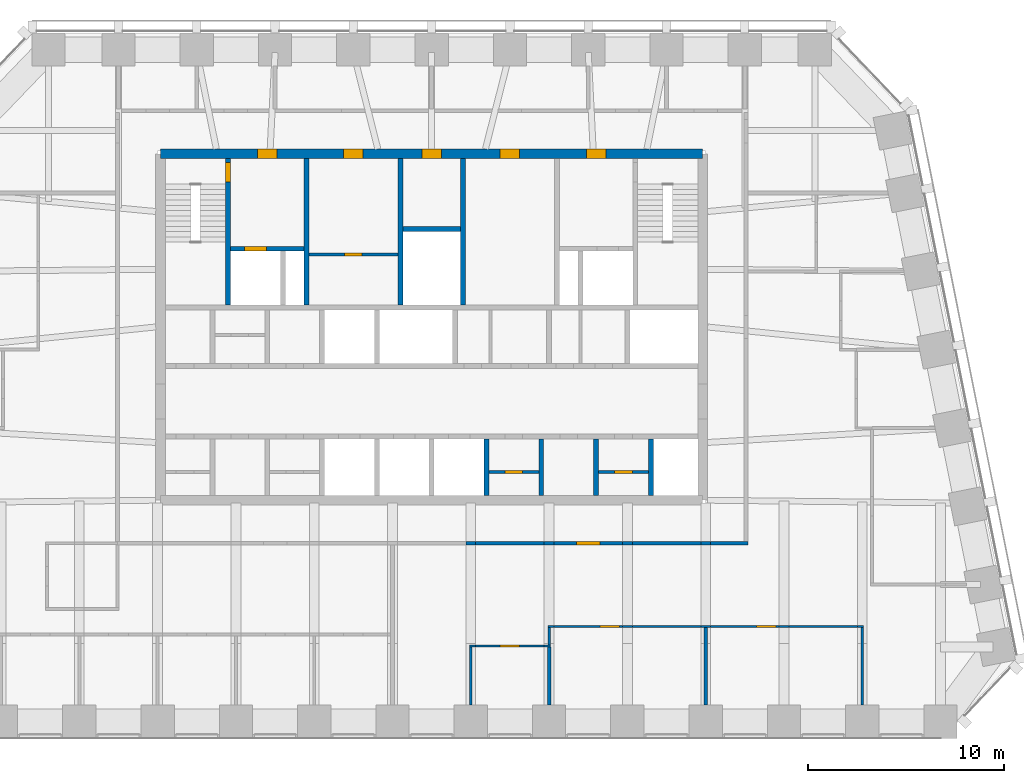
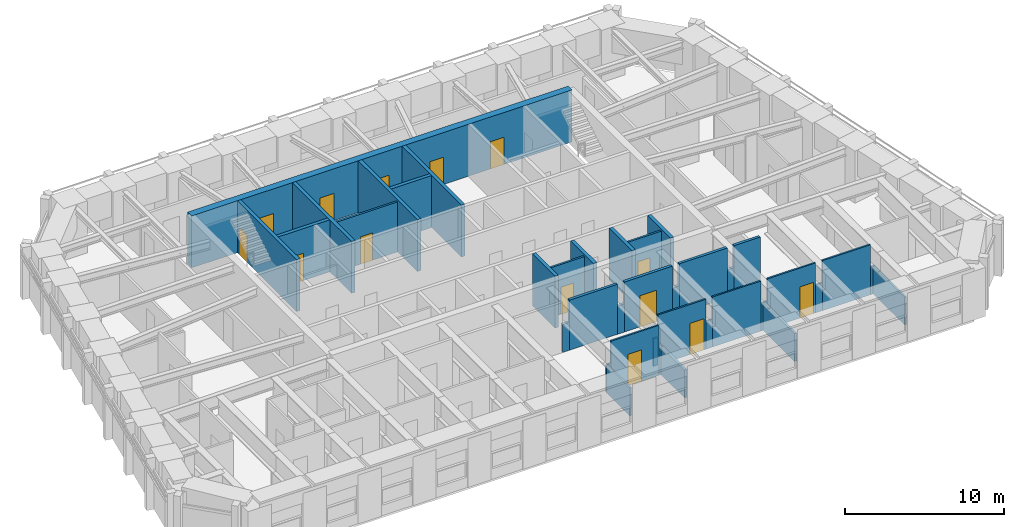
# One storey, part 7 of 12: 39 walls, 14 doors, 14 openings.
"""IFC4 building model written with IfcOpenShell, lengths in metres."""

from ifc_helpers import new_model, si_unit, direction, frame, frame_2d, origin, place, context, subcontext, project, spatial, rectangle, extrude, material, layer, layer_set, type_object, element, fill, save


model = new_model("IFC4")

# Units and contexts
model_context = context("Model", 3, precision=1e-05, world=origin(), true_north=direction((0.0, 1.0)))
body_context = subcontext(model_context, "Body", "Model", "MODEL_VIEW")
ifc_project = project(units=[si_unit("LENGTHUNIT", "METRE"), si_unit("AREAUNIT", "SQUARE_METRE"), si_unit("VOLUMEUNIT", "CUBIC_METRE"), si_unit("PLANEANGLEUNIT", "RADIAN"), si_unit("MASSUNIT", "GRAM", prefix="KILO")], contexts=[model_context])

# Site, building, storey
site_placement = place(None, origin())
site = spatial("IfcSite", under=ifc_project, at=site_placement, CompositionType="ELEMENT")
building_placement = place(site_placement, origin())
building = spatial("IfcBuilding", under=site, at=building_placement, Name="Isbrekke Arena Tower", CompositionType="ELEMENT")
storey_placement = place(building_placement, frame((0.0, 0.0, 292.0)))
storey = spatial("IfcBuildingStorey", under=building, at=storey_placement, Name="L68", CompositionType="ELEMENT", Elevation=292.0)

# Wall, openings, doors
ifc_material_1 = material(Name="Concrete B55 (C55/67)", Category="concrete")
ifc_layer_1 = layer(ifc_material_1, 0.5)
ifc_layer_set_1 = layer_set([ifc_layer_1], Name="CW5 CORE WALL 500")
wall_type_1 = type_object("IfcWallType", Name="CW5 CORE WALL 500", PredefinedType="SHEAR", material=ifc_layer_set_1)
wall_1_placement = place(storey_placement, frame((13.85009765625, 23.85009765625, 0.0), z_axis=(0.0, 0.0, 1.0), x_axis=(-1.0, 0.0, 0.0)))
wall_1 = element("IfcWall", 1, at=wall_1_placement, inside=storey, type_object=wall_type_1, Name="Core wall N L68", PredefinedType="SHEAR", context=body_context, shape_type="SweptSolid", body=[
    extrude(rectangle(XDim=27.7001953125, YDim=0.5, at=frame_2d((13.85009765625, 0.0))), origin(), (0.0, 0.0, 1.0), 4.0),
])
opening_1_placement = place(wall_1_placement, frame((21.75, 0.0, 0.0)))
opening_1 = element("IfcOpeningElement", 2, at=opening_1_placement, cuts=wall_1, Name="Opening D3", PredefinedType="OPENING", context=body_context, shape_type="SweptSolid", body=[
    extrude(rectangle(XDim=1.0, YDim=2.10009765625, at=frame_2d((0.5, 1.050048828125))), frame((0.0, 0.264892578125, 0.0), z_axis=(0.0, -1.0, 0.0), x_axis=(1.0, 0.0, 0.0)), (0.0, 0.0, 1.0), 0.52978515625),
])
opening_2_placement = place(wall_1_placement, frame((4.949951171875, 0.0, 0.0)))
opening_2 = element("IfcOpeningElement", 3, at=opening_2_placement, cuts=wall_1, Name="Opening D3", PredefinedType="OPENING", context=body_context, shape_type="SweptSolid", body=[
    extrude(rectangle(XDim=1.0, YDim=2.10009765625, at=frame_2d((0.5, 1.050048828125))), frame((0.0, 0.264892578125, 0.0), z_axis=(0.0, -1.0, 0.0), x_axis=(1.0, 0.0, 0.0)), (0.0, 0.0, 1.0), 0.52978515625),
])
opening_3_placement = place(wall_1_placement, frame((17.35009765625, 0.0, 0.0)))
opening_3 = element("IfcOpeningElement", 4, at=opening_3_placement, cuts=wall_1, Name="Opening D4", PredefinedType="OPENING", context=body_context, shape_type="SweptSolid", body=[
    extrude(rectangle(XDim=1.0, YDim=2.10009765625, at=frame_2d((0.5, 1.050048828125))), frame((0.0, 0.264892578125, 0.0), z_axis=(0.0, -1.0, 0.0), x_axis=(1.0, 0.0, 0.0)), (0.0, 0.0, 1.0), 0.52978515625),
])
opening_4_placement = place(wall_1_placement, frame((13.35009765625, 0.0, 0.0)))
opening_4 = element("IfcOpeningElement", 5, at=opening_4_placement, cuts=wall_1, Name="Opening D4", PredefinedType="OPENING", context=body_context, shape_type="SweptSolid", body=[
    extrude(rectangle(XDim=1.0, YDim=2.10009765625, at=frame_2d((0.5, 1.050048828125))), frame((0.0, 0.264892578125, 0.0), z_axis=(0.0, -1.0, 0.0), x_axis=(1.0, 0.0, 0.0)), (0.0, 0.0, 1.0), 0.52978515625),
])
opening_5_placement = place(wall_1_placement, frame((9.35009765625, 0.0, 0.0)))
opening_5 = element("IfcOpeningElement", 6, at=opening_5_placement, cuts=wall_1, Name="Opening D4", PredefinedType="OPENING", context=body_context, shape_type="SweptSolid", body=[
    extrude(rectangle(XDim=1.0, YDim=2.10009765625, at=frame_2d((0.5, 1.050048828125))), frame((0.0, 0.264892578125, 0.0), z_axis=(0.0, -1.0, 0.0), x_axis=(1.0, 0.0, 0.0)), (0.0, 0.0, 1.0), 0.52978515625),
])
ifc_material_2 = material(Name="Steel fire door", Category="steel")
door_type_1 = type_object("IfcDoorType", Name="D3 FIRE LOBBY DOOR 1000 x 2100", OperationType="SINGLE_SWING_RIGHT", PredefinedType="DOOR", material=ifc_material_2)
door_1_placement = place(opening_1_placement, origin())
door_1 = element("IfcDoor", 7, at=door_1_placement, inside=storey, type_object=door_type_1, Name="D3 fire-fighting lobby door L68", OperationType="SINGLE_SWING_RIGHT", OverallHeight=2.10009765625, OverallWidth=1.0, PredefinedType="DOOR", context=body_context, shape_type="SweptSolid", body=[
    extrude(rectangle(XDim=1.0, YDim=2.10009765625, at=frame_2d((0.5, 1.050048828125))), frame((0.0, 0.249755859375, 0.0), z_axis=(0.0, -1.0, 0.0), x_axis=(1.0, 0.0, 0.0)), (0.0, 0.0, 1.0), 0.49951171875),
])
fill(opening_1, door_1)
door_2_placement = place(opening_2_placement, origin())
door_2 = element("IfcDoor", 8, at=door_2_placement, inside=storey, type_object=door_type_1, Name="D3 fire-fighting lobby door L68", OperationType="SINGLE_SWING_RIGHT", OverallHeight=2.10009765625, OverallWidth=1.0, PredefinedType="DOOR", context=body_context, shape_type="SweptSolid", body=[
    extrude(rectangle(XDim=1.0, YDim=2.10009765625, at=frame_2d((0.5, 1.050048828125))), frame((0.0, 0.249755859375, 0.0), z_axis=(0.0, -1.0, 0.0), x_axis=(1.0, 0.0, 0.0)), (0.0, 0.0, 1.0), 0.49951171875),
])
fill(opening_2, door_2)
ifc_material_3 = material(Name="Timber door", Category="wood")
door_type_2 = type_object("IfcDoorType", Name="D4 WC DOOR 1000 x 2100", OperationType="SINGLE_SWING_LEFT", PredefinedType="DOOR", material=ifc_material_3)
door_3_placement = place(opening_3_placement, origin())
door_3 = element("IfcDoor", 9, at=door_3_placement, inside=storey, type_object=door_type_2, Name="D4 wc female door L68", OperationType="SINGLE_SWING_LEFT", OverallHeight=2.10009765625, OverallWidth=1.0, PredefinedType="DOOR", context=body_context, shape_type="SweptSolid", body=[
    extrude(rectangle(XDim=1.0, YDim=2.10009765625, at=frame_2d((0.5, 1.050048828125))), frame((0.0, 0.249755859375, 0.0), z_axis=(0.0, -1.0, 0.0), x_axis=(1.0, 0.0, 0.0)), (0.0, 0.0, 1.0), 0.49951171875),
])
fill(opening_3, door_3)
door_4_placement = place(opening_4_placement, origin())
door_4 = element("IfcDoor", 10, at=door_4_placement, inside=storey, type_object=door_type_2, Name="D4 accessible wc door L68", OperationType="SINGLE_SWING_LEFT", OverallHeight=2.10009765625, OverallWidth=1.0, PredefinedType="DOOR", context=body_context, shape_type="SweptSolid", body=[
    extrude(rectangle(XDim=1.0, YDim=2.10009765625, at=frame_2d((0.5, 1.050048828125))), frame((0.0, 0.249755859375, 0.0), z_axis=(0.0, -1.0, 0.0), x_axis=(1.0, 0.0, 0.0)), (0.0, 0.0, 1.0), 0.49951171875),
])
fill(opening_4, door_4)
door_5_placement = place(opening_5_placement, origin())
door_5 = element("IfcDoor", 11, at=door_5_placement, inside=storey, type_object=door_type_2, Name="D4 wc male door L68", OperationType="SINGLE_SWING_LEFT", OverallHeight=2.10009765625, OverallWidth=1.0, PredefinedType="DOOR", context=body_context, shape_type="SweptSolid", body=[
    extrude(rectangle(XDim=1.0, YDim=2.10009765625, at=frame_2d((0.5, 1.050048828125))), frame((0.0, 0.249755859375, 0.0), z_axis=(0.0, -1.0, 0.0), x_axis=(1.0, 0.0, 0.0)), (0.0, 0.0, 1.0), 0.49951171875),
])
fill(opening_5, door_5)

# Walls
ifc_material_4 = material(Name="Concrete B45 (C45/55)", Category="concrete")
ifc_layer_2 = layer(ifc_material_4, 0.25)
ifc_layer_set_2 = layer_set([ifc_layer_2], Name="CW6 SHAFT WALL 250")
wall_type_2 = type_object("IfcWallType", Name="CW6 SHAFT WALL 250", PredefinedType="SHEAR", material=ifc_layer_set_2)
for number, where, z_axis, x_axis, name in (
    (12, (2.800048828125, 6.39990234375, 0.0), (0.0, 0.0, 1.0), (0.0, 1.0, 0.0), "Core wall SS06 L68"),
    (13, (5.60009765625, 6.39990234375, 0.0), (0.0, 0.0, 1.0), (0.0, 1.0, 0.0), "Core wall SS07 L68"),
    (14, (8.39990234375, 6.39990234375, 0.0), (0.0, 0.0, 1.0), (0.0, 1.0, 0.0), "Core wall SS08 L68"),
    (15, (11.199951171875, 6.39990234375, 0.0), (0.0, 0.0, 1.0), (0.0, 1.0, 0.0), "Core wall SS09 L68"),
):
    element("IfcWall", number, at=place(storey_placement, frame(where, z_axis=z_axis, x_axis=x_axis)), inside=storey, type_object=wall_type_2, Name=name, PredefinedType="SHEAR", context=body_context, shape_type="SweptSolid", body=[
        extrude(rectangle(XDim=2.875, YDim=0.25, at=frame_2d((1.4375, 0.0))), origin(), (0.0, 0.0, 1.0), 4.0),
    ])

# Wall, opening, door
wall_2_placement = place(storey_placement, frame((-10.39990234375, 16.125, 0.0), z_axis=(0.0, 0.0, 1.0), x_axis=(0.0, 1.0, 0.0)))
wall_2 = element("IfcWall", 16, at=wall_2_placement, inside=storey, type_object=wall_type_2, Name="Core wall NV01 L68", PredefinedType="SHEAR", context=body_context, shape_type="SweptSolid", body=[
    extrude(rectangle(XDim=7.47509765625, YDim=0.25, at=frame_2d((3.737548828125, 0.0))), origin(), (0.0, 0.0, 1.0), 4.0),
])
opening_6_placement = place(wall_2_placement, frame((6.27490234375, 0.0, 0.0)))
opening_6 = element("IfcOpeningElement", 17, at=opening_6_placement, cuts=wall_2, Name="Opening D2", PredefinedType="OPENING", context=body_context, shape_type="SweptSolid", body=[
    extrude(rectangle(XDim=1.0, YDim=2.10009765625, at=frame_2d((0.5, 1.050048828125))), frame((0.0, 0.139892578125, 0.0), z_axis=(0.0, -1.0, 0.0), x_axis=(1.0, 0.0, 0.0)), (0.0, 0.0, 1.0), 0.27978515625),
])
ifc_material_5 = material(Name="Steel fire door", Category="steel")
door_type_3 = type_object("IfcDoorType", Name="D2 STAIR DOOR 1000 x 2100", OperationType="SINGLE_SWING_LEFT", PredefinedType="DOOR", material=ifc_material_5)
door_6_placement = place(opening_6_placement, origin())
door_6 = element("IfcDoor", 18, at=door_6_placement, inside=storey, type_object=door_type_3, Name="D2 stair door ST1 L68", OperationType="SINGLE_SWING_LEFT", OverallHeight=2.10009765625, OverallWidth=1.0, PredefinedType="DOOR", context=body_context, shape_type="SweptSolid", body=[
    extrude(rectangle(XDim=1.0, YDim=2.10009765625, at=frame_2d((0.5, 1.050048828125))), frame((0.0, 0.124755859375, 0.0), z_axis=(0.0, -1.0, 0.0), x_axis=(1.0, 0.0, 0.0)), (0.0, 0.0, 1.0), 0.24951171875),
])
fill(opening_6, door_6)

# Walls
for number, where, z_axis, x_axis, name in (
    (19, (-6.39990234375, 16.125, 0.0), (0.0, 0.0, 1.0), (0.0, 1.0, 0.0), "Core wall NV02 L68"),
    (20, (-1.60009765625, 16.125, 0.0), (0.0, 0.0, 1.0), (0.0, 1.0, 0.0), "Core wall NV03 L68"),
    (21, (1.60009765625, 16.125, 0.0), (0.0, 0.0, 1.0), (0.0, 1.0, 0.0), "Core wall NV04 L68"),
):
    element("IfcWall", number, at=place(storey_placement, frame(where, z_axis=z_axis, x_axis=x_axis)), inside=storey, type_object=wall_type_2, Name=name, PredefinedType="SHEAR", context=body_context, shape_type="SweptSolid", body=[
        extrude(rectangle(XDim=7.47509765625, YDim=0.25, at=frame_2d((3.737548828125, 0.0))), origin(), (0.0, 0.0, 1.0), 4.0),
    ])

# Wall, opening, door
wall_3_placement = place(storey_placement, frame((-10.27490234375, 19.0, 0.0), z_axis=(0.0, 0.0, 1.0), x_axis=(1.0, 0.0, 0.0)))
wall_3 = element("IfcWall", 22, at=wall_3_placement, inside=storey, type_object=wall_type_2, Name="Core wall NFW L68", PredefinedType="SHEAR", context=body_context, shape_type="SweptSolid", body=[
    extrude(rectangle(XDim=3.75, YDim=0.25, at=frame_2d((1.875, 0.0))), origin(), (0.0, 0.0, 1.0), 4.0),
])
opening_7_placement = place(wall_3_placement, frame((0.72509765625, 0.0, 0.0)))
opening_7 = element("IfcOpeningElement", 23, at=opening_7_placement, cuts=wall_3, Name="Opening LD2", PredefinedType="OPENING", context=body_context, shape_type="SweptSolid", body=[
    extrude(rectangle(XDim=1.10009765625, YDim=2.10009765625, at=frame_2d((0.550048828125, 1.050048828125))), frame((0.0, 0.139892578125, 0.0), z_axis=(0.0, -1.0, 0.0), x_axis=(1.0, 0.0, 0.0)), (0.0, 0.0, 1.0), 0.27978515625),
])
ifc_material_6 = material(Name="Stainless steel lift landing door", Category="steel")
door_type_4 = type_object("IfcDoorType", Name="LD2 FIRE-FIGHTING LIFT LANDING DOOR 1100 x 2100", OperationType="SLIDING_TO_RIGHT", PredefinedType="DOOR", material=ifc_material_6)
door_7_placement = place(opening_7_placement, origin())
door_7 = element("IfcDoor", 24, at=door_7_placement, inside=storey, type_object=door_type_4, Name="LD2 lift landing door LF L68", OperationType="SLIDING_TO_RIGHT", OverallHeight=2.10009765625, OverallWidth=1.10009765625, PredefinedType="DOOR", context=body_context, shape_type="SweptSolid", body=[
    extrude(rectangle(XDim=1.10009765625, YDim=2.10009765625, at=frame_2d((0.550048828125, 1.050048828125))), frame((0.0, 0.124755859375, 0.0), z_axis=(0.0, -1.0, 0.0), x_axis=(1.0, 0.0, 0.0)), (0.0, 0.0, 1.0), 0.24951171875),
])
fill(opening_7, door_7)

# Walls
wall_4_placement = place(storey_placement, frame((-1.47509765625, 20.0, 0.0), z_axis=(0.0, 0.0, 1.0), x_axis=(1.0, 0.0, 0.0)))
element("IfcWall", 25, at=wall_4_placement, inside=storey, type_object=wall_type_2, Name="Core wall NWC L68", PredefinedType="SHEAR", context=body_context, shape_type="SweptSolid", body=[
    extrude(rectangle(XDim=2.9501953125, YDim=0.25, at=frame_2d((1.47509765625, 0.0))), origin(), (0.0, 0.0, 1.0), 4.0),
])
ifc_material_7 = material(Name="Frameless glazed partition, laminated acoustic glass", Category="glass")
ifc_layer_3 = layer(ifc_material_7, 0.1201171875)
ifc_layer_set_3 = layer_set([ifc_layer_3], Name="IW2 GLAZED PARTITION 120")
wall_type_3 = type_object("IfcWallType", Name="IW2 GLAZED PARTITION 120", PredefinedType="PARTITIONING", material=ifc_layer_set_3)
wall_5_placement = place(storey_placement, frame((1.93994140625, -1.300048828125, 0.0), z_axis=(0.0, 0.0, 1.0), x_axis=(1.0, 0.0, 0.0)))
element("IfcWall", 26, at=wall_5_placement, inside=storey, type_object=wall_type_3, Name="IW2 glazed partition 120 L68", PredefinedType="PARTITIONING", context=body_context, shape_type="SweptSolid", body=[
    extrude(rectangle(XDim=0.31005859375, YDim=0.1201171875, at=frame_2d((0.155029296875, 0.0))), origin(), (0.0, 0.0, 1.0), 2.14990234375),
])

# Wall, opening, door
wall_6_placement = place(storey_placement, frame((2.25, -1.300048828125, 0.0), z_axis=(0.0, 0.0, 1.0), x_axis=(1.0, 0.0, 0.0)))
wall_6 = element("IfcWall", 27, at=wall_6_placement, inside=storey, type_object=wall_type_3, Name="IW2 glazed partition 120 L68", PredefinedType="PARTITIONING", context=body_context, shape_type="SweptSolid", body=[
    extrude(rectangle(XDim=3.5, YDim=0.1201171875, at=frame_2d((1.75, 0.0))), origin(), (0.0, 0.0, 1.0), 3.85009765625),
])
opening_8_placement = place(wall_6_placement, frame((1.25, 0.0, 0.0)))
opening_8 = element("IfcOpeningElement", 28, at=opening_8_placement, cuts=wall_6, Name="Opening D11", PredefinedType="OPENING", context=body_context, shape_type="SweptSolid", body=[
    extrude(rectangle(XDim=1.0, YDim=2.39990234375, at=frame_2d((0.5, 1.199951171875))), frame((0.0, 0.074951171875, 0.0), z_axis=(0.0, -1.0, 0.0), x_axis=(1.0, 0.0, 0.0)), (0.0, 0.0, 1.0), 0.14990234375),
])
ifc_material_8 = material(Name="Frameless glazed door", Category="glass")
door_type_5 = type_object("IfcDoorType", Name="D11 GLAZED MEETING ROOM DOOR 1000 x 2400", OperationType="SINGLE_SWING_RIGHT", PredefinedType="DOOR", material=ifc_material_8)
door_8_placement = place(opening_8_placement, origin())
door_8 = element("IfcDoor", 29, at=door_8_placement, inside=storey, type_object=door_type_5, Name="D11 quiet room door L68", OperationType="SINGLE_SWING_RIGHT", OverallHeight=2.39990234375, OverallWidth=1.0, PredefinedType="DOOR", context=body_context, shape_type="SweptSolid", body=[
    extrude(rectangle(XDim=1.0, YDim=2.39990234375, at=frame_2d((0.5, 1.199951171875))), frame((0.0, 0.059814453125, 0.0), z_axis=(0.0, -1.0, 0.0), x_axis=(1.0, 0.0, 0.0)), (0.0, 0.0, 1.0), 0.11962890625),
])
fill(opening_8, door_8)

# Walls
for number, where, z_axis, x_axis, name in (
    (30, (5.75, -1.300048828125, 0.0), (0.0, 0.0, 1.0), (1.0, 0.0, 0.0), "IW2 glazed partition 120 L68"),
    (31, (5.93994140625, -0.300048828125, 0.0), (0.0, 0.0, 1.0), (1.0, 0.0, 0.0), "IW2 glazed partition 120 L68"),
):
    element("IfcWall", number, at=place(storey_placement, frame(where, z_axis=z_axis, x_axis=x_axis)), inside=storey, type_object=wall_type_3, Name=name, PredefinedType="PARTITIONING", context=body_context, shape_type="SweptSolid", body=[
        extrude(rectangle(XDim=0.31005859375, YDim=0.1201171875, at=frame_2d((0.155029296875, 0.0))), origin(), (0.0, 0.0, 1.0), 2.14990234375),
    ])

# Wall, opening, door
wall_7_placement = place(storey_placement, frame((6.25, -0.300048828125, 0.0), z_axis=(0.0, 0.0, 1.0), x_axis=(1.0, 0.0, 0.0)))
wall_7 = element("IfcWall", 32, at=wall_7_placement, inside=storey, type_object=wall_type_3, Name="IW2 glazed partition 120 L68", PredefinedType="PARTITIONING", context=body_context, shape_type="SweptSolid", body=[
    extrude(rectangle(XDim=3.5, YDim=0.1201171875, at=frame_2d((1.75, 0.0))), origin(), (0.0, 0.0, 1.0), 3.85009765625),
])
opening_9_placement = place(wall_7_placement, frame((2.35009765625, 0.0, 0.0)))
opening_9 = element("IfcOpeningElement", 33, at=opening_9_placement, cuts=wall_7, Name="Opening D11", PredefinedType="OPENING", context=body_context, shape_type="SweptSolid", body=[
    extrude(rectangle(XDim=1.0, YDim=2.39990234375, at=frame_2d((0.5, 1.199951171875))), frame((0.0, 0.074951171875, 0.0), z_axis=(0.0, -1.0, 0.0), x_axis=(1.0, 0.0, 0.0)), (0.0, 0.0, 1.0), 0.14990234375),
])
door_9_placement = place(opening_9_placement, origin())
door_9 = element("IfcDoor", 34, at=door_9_placement, inside=storey, type_object=door_type_5, Name="D11 project room door L68", OperationType="SINGLE_SWING_RIGHT", OverallHeight=2.39990234375, OverallWidth=1.0, PredefinedType="DOOR", context=body_context, shape_type="SweptSolid", body=[
    extrude(rectangle(XDim=1.0, YDim=2.39990234375, at=frame_2d((0.5, 1.199951171875))), frame((0.0, 0.059814453125, 0.0), z_axis=(0.0, -1.0, 0.0), x_axis=(1.0, 0.0, 0.0)), (0.0, 0.0, 1.0), 0.11962890625),
])
fill(opening_9, door_9)

# Walls
wall_8_placement = place(storey_placement, frame((9.75, -0.300048828125, 0.0), z_axis=(0.0, 0.0, 1.0), x_axis=(1.0, 0.0, 0.0)))
element("IfcWall", 35, at=wall_8_placement, inside=storey, type_object=wall_type_3, Name="IW2 glazed partition 120 L68", PredefinedType="PARTITIONING", context=body_context, shape_type="SweptSolid", body=[
    extrude(rectangle(XDim=0.5, YDim=0.1201171875, at=frame_2d((0.25, 0.0))), origin(), (0.0, 0.0, 1.0), 2.14990234375),
])
wall_9_placement = place(storey_placement, frame((10.25, -0.300048828125, 0.0), z_axis=(0.0, 0.0, 1.0), x_axis=(1.0, 0.0, 0.0)))
element("IfcWall", 36, at=wall_9_placement, inside=storey, type_object=wall_type_3, Name="IW2 glazed partition 120 L68", PredefinedType="PARTITIONING", context=body_context, shape_type="SweptSolid", body=[
    extrude(rectangle(XDim=3.5, YDim=0.1201171875, at=frame_2d((1.75, 0.0))), origin(), (0.0, 0.0, 1.0), 3.85009765625),
])
wall_10_placement = place(storey_placement, frame((13.75, -0.300048828125, 0.0), z_axis=(0.0, 0.0, 1.0), x_axis=(1.0, 0.0, 0.0)))
element("IfcWall", 37, at=wall_10_placement, inside=storey, type_object=wall_type_3, Name="IW2 glazed partition 120 L68", PredefinedType="PARTITIONING", context=body_context, shape_type="SweptSolid", body=[
    extrude(rectangle(XDim=0.5, YDim=0.1201171875, at=frame_2d((0.25, 0.0))), origin(), (0.0, 0.0, 1.0), 2.14990234375),
])

# Wall, opening, door
wall_11_placement = place(storey_placement, frame((14.25, -0.300048828125, 0.0), z_axis=(0.0, 0.0, 1.0), x_axis=(1.0, 0.0, 0.0)))
wall_11 = element("IfcWall", 38, at=wall_11_placement, inside=storey, type_object=wall_type_3, Name="IW2 glazed partition 120 L68", PredefinedType="PARTITIONING", context=body_context, shape_type="SweptSolid", body=[
    extrude(rectangle(XDim=3.5, YDim=0.1201171875, at=frame_2d((1.75, 0.0))), origin(), (0.0, 0.0, 1.0), 3.85009765625),
])
opening_10_placement = place(wall_11_placement, frame((2.35009765625, 0.0, 0.0)))
opening_10 = element("IfcOpeningElement", 39, at=opening_10_placement, cuts=wall_11, Name="Opening D11", PredefinedType="OPENING", context=body_context, shape_type="SweptSolid", body=[
    extrude(rectangle(XDim=1.0, YDim=2.39990234375, at=frame_2d((0.5, 1.199951171875))), frame((0.0, 0.074951171875, 0.0), z_axis=(0.0, -1.0, 0.0), x_axis=(1.0, 0.0, 0.0)), (0.0, 0.0, 1.0), 0.14990234375),
])
door_10_placement = place(opening_10_placement, origin())
door_10 = element("IfcDoor", 40, at=door_10_placement, inside=storey, type_object=door_type_5, Name="D11 project room door L68", OperationType="SINGLE_SWING_RIGHT", OverallHeight=2.39990234375, OverallWidth=1.0, PredefinedType="DOOR", context=body_context, shape_type="SweptSolid", body=[
    extrude(rectangle(XDim=1.0, YDim=2.39990234375, at=frame_2d((0.5, 1.199951171875))), frame((0.0, 0.059814453125, 0.0), z_axis=(0.0, -1.0, 0.0), x_axis=(1.0, 0.0, 0.0)), (0.0, 0.0, 1.0), 0.11962890625),
])
fill(opening_10, door_10)

# Walls
wall_12_placement = place(storey_placement, frame((17.75, -0.300048828125, 0.0), z_axis=(0.0, 0.0, 1.0), x_axis=(1.0, 0.0, 0.0)))
element("IfcWall", 41, at=wall_12_placement, inside=storey, type_object=wall_type_3, Name="IW2 glazed partition 120 L68", PredefinedType="PARTITIONING", context=body_context, shape_type="SweptSolid", body=[
    extrude(rectangle(XDim=0.5, YDim=0.1201171875, at=frame_2d((0.25, 0.0))), origin(), (0.0, 0.0, 1.0), 2.14990234375),
])
wall_13_placement = place(storey_placement, frame((18.25, -0.300048828125, 0.0), z_axis=(0.0, 0.0, 1.0), x_axis=(1.0, 0.0, 0.0)))
element("IfcWall", 42, at=wall_13_placement, inside=storey, type_object=wall_type_3, Name="IW2 glazed partition 120 L68", PredefinedType="PARTITIONING", context=body_context, shape_type="SweptSolid", body=[
    extrude(rectangle(XDim=3.5, YDim=0.1201171875, at=frame_2d((1.75, 0.0))), origin(), (0.0, 0.0, 1.0), 3.85009765625),
])
wall_14_placement = place(storey_placement, frame((21.75, -0.300048828125, 0.0), z_axis=(0.0, 0.0, 1.0), x_axis=(1.0, 0.0, 0.0)))
element("IfcWall", 43, at=wall_14_placement, inside=storey, type_object=wall_type_3, Name="IW2 glazed partition 120 L68", PredefinedType="PARTITIONING", context=body_context, shape_type="SweptSolid", body=[
    extrude(rectangle(XDim=0.31005859375, YDim=0.1201171875, at=frame_2d((0.155029296875, 0.0))), origin(), (0.0, 0.0, 1.0), 2.14990234375),
])
wall_15_placement = place(storey_placement, frame((2.0, -4.324951171875, 0.0), z_axis=(0.0, 0.0, 1.0), x_axis=(0.0, 1.0, 0.0)))
element("IfcWall", 44, at=wall_15_placement, inside=storey, type_object=wall_type_3, Name="IW2 glazed partition 120 L68", PredefinedType="PARTITIONING", context=body_context, shape_type="SweptSolid", body=[
    extrude(rectangle(XDim=2.96484375, YDim=0.1201171875, at=frame_2d((1.482421875, 0.0))), origin(), (0.0, 0.0, 1.0), 2.14990234375),
])
wall_16_placement = place(storey_placement, frame((6.0, -1.239990234375, 0.0), z_axis=(0.0, 0.0, 1.0), x_axis=(0.0, 1.0, 0.0)))
element("IfcWall", 45, at=wall_16_placement, inside=storey, type_object=wall_type_3, Name="IW2 glazed partition 120 L68", PredefinedType="PARTITIONING", context=body_context, shape_type="SweptSolid", body=[
    extrude(rectangle(XDim=0.8798828125, YDim=0.1201171875, at=frame_2d((0.43994140625, 0.0))), origin(), (0.0, 0.0, 1.0), 2.14990234375),
])
wall_17_placement = place(storey_placement, frame((22.0, -4.324951171875, 0.0), z_axis=(0.0, 0.0, 1.0), x_axis=(0.0, 1.0, 0.0)))
element("IfcWall", 46, at=wall_17_placement, inside=storey, type_object=wall_type_3, Name="IW2 glazed partition 120 L68", PredefinedType="PARTITIONING", context=body_context, shape_type="SweptSolid", body=[
    extrude(rectangle(XDim=3.96484375, YDim=0.1201171875, at=frame_2d((1.982421875, 0.0))), origin(), (0.0, 0.0, 1.0), 2.14990234375),
])
ifc_material_9 = material(Name="Gypsum board fire-cell wall on steel studs, two layers each side", Category="steel")
ifc_layer_4 = layer(ifc_material_9, 0.199951171875)
ifc_layer_set_4 = layer_set([ifc_layer_4], Name="IW3 FIRE-CELL WALL 200")
wall_type_4 = type_object("IfcWallType", Name="IW3 FIRE-CELL WALL 200", PredefinedType="PARTITIONING", material=ifc_layer_set_4)
wall_18_placement = place(storey_placement, frame((1.75, 3.949951171875, 0.0), z_axis=(0.0, 0.0, 1.0), x_axis=(1.0, 0.0, 0.0)))
element("IfcWall", 47, at=wall_18_placement, inside=storey, type_object=wall_type_4, Name="IW3 fire-cell wall 200 L68", PredefinedType="PARTITIONING", context=body_context, shape_type="SweptSolid", body=[
    extrude(rectangle(XDim=0.5, YDim=0.199951171875, at=frame_2d((0.25, 0.0))), origin(), (0.0, 0.0, 1.0), 2.14990234375),
])
wall_19_placement = place(storey_placement, frame((2.25, 3.949951171875, 0.0), z_axis=(0.0, 0.0, 1.0), x_axis=(1.0, 0.0, 0.0)))
element("IfcWall", 48, at=wall_19_placement, inside=storey, type_object=wall_type_4, Name="IW3 fire-cell wall 200 L68", PredefinedType="PARTITIONING", context=body_context, shape_type="SweptSolid", body=[
    extrude(rectangle(XDim=3.5, YDim=0.199951171875, at=frame_2d((1.75, 0.0))), origin(), (0.0, 0.0, 1.0), 3.85009765625),
])
wall_20_placement = place(storey_placement, frame((5.75, 3.949951171875, 0.0), z_axis=(0.0, 0.0, 1.0), x_axis=(1.0, 0.0, 0.0)))
element("IfcWall", 49, at=wall_20_placement, inside=storey, type_object=wall_type_4, Name="IW3 fire-cell wall 200 L68", PredefinedType="PARTITIONING", context=body_context, shape_type="SweptSolid", body=[
    extrude(rectangle(XDim=0.5, YDim=0.199951171875, at=frame_2d((0.25, 0.0))), origin(), (0.0, 0.0, 1.0), 2.14990234375),
])

# Wall, opening, door
wall_21_placement = place(storey_placement, frame((6.25, 3.949951171875, 0.0), z_axis=(0.0, 0.0, 1.0), x_axis=(1.0, 0.0, 0.0)))
wall_21 = element("IfcWall", 50, at=wall_21_placement, inside=storey, type_object=wall_type_4, Name="IW3 fire-cell wall 200 L68", PredefinedType="PARTITIONING", context=body_context, shape_type="SweptSolid", body=[
    extrude(rectangle(XDim=3.5, YDim=0.199951171875, at=frame_2d((1.75, 0.0))), origin(), (0.0, 0.0, 1.0), 3.85009765625),
])
opening_11_placement = place(wall_21_placement, frame((1.14990234375, 0.0, 0.0)))
opening_11 = element("IfcOpeningElement", 51, at=opening_11_placement, cuts=wall_21, Name="Opening D12", PredefinedType="OPENING", context=body_context, shape_type="SweptSolid", body=[
    extrude(rectangle(XDim=1.199951171875, YDim=2.39990234375, at=frame_2d((0.60009765625, 1.199951171875))), frame((0.0, 0.11474609375, 0.0), z_axis=(0.0, -1.0, 0.0), x_axis=(1.0, 0.0, 0.0)), (0.0, 0.0, 1.0), 0.229736328125),
])
ifc_material_10 = material(Name="Timber fire door with vision panel", Category="wood")
door_type_6 = type_object("IfcDoorType", Name="D12 SUITE ENTRANCE DOOR 1200 x 2400", OperationType="SINGLE_SWING_LEFT", PredefinedType="DOOR", material=ifc_material_10)
door_11_placement = place(opening_11_placement, origin())
door_11 = element("IfcDoor", 52, at=door_11_placement, inside=storey, type_object=door_type_6, Name="D12 suite entrance E door L68", OperationType="SINGLE_SWING_LEFT", OverallHeight=2.39990234375, OverallWidth=1.199951171875, PredefinedType="DOOR", context=body_context, shape_type="SweptSolid", body=[
    extrude(rectangle(XDim=1.199951171875, YDim=2.39990234375, at=frame_2d((0.60009765625, 1.199951171875))), frame((0.0, 0.099609375, 0.0), z_axis=(0.0, -1.0, 0.0), x_axis=(1.0, 0.0, 0.0)), (0.0, 0.0, 1.0), 0.199462890625),
])
fill(opening_11, door_11)

# Walls
wall_22_placement = place(storey_placement, frame((9.75, 3.949951171875, 0.0), z_axis=(0.0, 0.0, 1.0), x_axis=(1.0, 0.0, 0.0)))
element("IfcWall", 53, at=wall_22_placement, inside=storey, type_object=wall_type_4, Name="IW3 fire-cell wall 200 L68", PredefinedType="PARTITIONING", context=body_context, shape_type="SweptSolid", body=[
    extrude(rectangle(XDim=0.5, YDim=0.199951171875, at=frame_2d((0.25, 0.0))), origin(), (0.0, 0.0, 1.0), 2.14990234375),
])
wall_23_placement = place(storey_placement, frame((10.25, 3.949951171875, 0.0), z_axis=(0.0, 0.0, 1.0), x_axis=(1.0, 0.0, 0.0)))
element("IfcWall", 54, at=wall_23_placement, inside=storey, type_object=wall_type_4, Name="IW3 fire-cell wall 200 L68", PredefinedType="PARTITIONING", context=body_context, shape_type="SweptSolid", body=[
    extrude(rectangle(XDim=3.5, YDim=0.199951171875, at=frame_2d((1.75, 0.0))), origin(), (0.0, 0.0, 1.0), 3.85009765625),
])
wall_24_placement = place(storey_placement, frame((13.75, 3.949951171875, 0.0), z_axis=(0.0, 0.0, 1.0), x_axis=(1.0, 0.0, 0.0)))
element("IfcWall", 55, at=wall_24_placement, inside=storey, type_object=wall_type_4, Name="IW3 fire-cell wall 200 L68", PredefinedType="PARTITIONING", context=body_context, shape_type="SweptSolid", body=[
    extrude(rectangle(XDim=0.5, YDim=0.199951171875, at=frame_2d((0.25, 0.0))), origin(), (0.0, 0.0, 1.0), 2.14990234375),
])
wall_25_placement = place(storey_placement, frame((14.25, 3.949951171875, 0.0), z_axis=(0.0, 0.0, 1.0), x_axis=(1.0, 0.0, 0.0)))
element("IfcWall", 56, at=wall_25_placement, inside=storey, type_object=wall_type_4, Name="IW3 fire-cell wall 200 L68", PredefinedType="PARTITIONING", context=body_context, shape_type="SweptSolid", body=[
    extrude(rectangle(XDim=1.89990234375, YDim=0.199951171875, at=frame_2d((0.949951171875, 0.0))), origin(), (0.0, 0.0, 1.0), 3.85009765625),
])
ifc_material_11 = material(Name="Gypsum board acoustic partition on twin steel studs", Category="steel")
ifc_layer_5 = layer(ifc_material_11, 0.175048828125)
ifc_layer_set_5 = layer_set([ifc_layer_5], Name="IW4 ACOUSTIC PARTITION 175")
wall_type_5 = type_object("IfcWallType", Name="IW4 ACOUSTIC PARTITION 175", PredefinedType="PARTITIONING", material=ifc_layer_set_5)
wall_26_placement = place(storey_placement, frame((6.0, -4.324951171875, 0.0), z_axis=(0.0, 0.0, 1.0), x_axis=(0.0, 1.0, 0.0)))
element("IfcWall", 57, at=wall_26_placement, inside=storey, type_object=wall_type_5, Name="IW4 acoustic partition 175 L68", PredefinedType="PARTITIONING", context=body_context, shape_type="SweptSolid", body=[
    extrude(rectangle(XDim=2.96484375, YDim=0.175048828125, at=frame_2d((1.482421875, 0.0))), origin(), (0.0, 0.0, 1.0), 2.14990234375),
])
wall_27_placement = place(storey_placement, frame((14.0, -4.324951171875, 0.0), z_axis=(0.0, 0.0, 1.0), x_axis=(0.0, 1.0, 0.0)))
element("IfcWall", 58, at=wall_27_placement, inside=storey, type_object=wall_type_5, Name="IW4 acoustic partition 175 L68", PredefinedType="PARTITIONING", context=body_context, shape_type="SweptSolid", body=[
    extrude(rectangle(XDim=3.96484375, YDim=0.175048828125, at=frame_2d((1.982421875, 0.0))), origin(), (0.0, 0.0, 1.0), 2.14990234375),
])

# Wall, opening, door
ifc_material_12 = material(Name="Gypsum board fire-rated partition on steel studs, two layers each side", Category="steel")
ifc_layer_6 = layer(ifc_material_12, 0.14990234375)
ifc_layer_set_6 = layer_set([ifc_layer_6], Name="IW5 FIRE-RATED PARTITION 150")
wall_type_6 = type_object("IfcWallType", Name="IW5 FIRE-RATED PARTITION 150", PredefinedType="PARTITIONING", material=ifc_layer_set_6)
wall_28_placement = place(storey_placement, frame((-6.27490234375, 18.699951171875, 0.0), z_axis=(0.0, 0.0, 1.0), x_axis=(1.0, 0.0, 0.0)))
wall_28 = element("IfcWall", 59, at=wall_28_placement, inside=storey, type_object=wall_type_6, Name="IW5 fire-rated partition L68 cleaner's store F", PredefinedType="PARTITIONING", context=body_context, shape_type="SweptSolid", body=[
    extrude(rectangle(XDim=4.5498046875, YDim=0.14990234375, at=frame_2d((2.27490234375, 0.0))), origin(), (0.0, 0.0, 1.0), 3.85009765625),
])
opening_12_placement = place(wall_28_placement, frame((1.824951171875, 0.0, 0.0)))
opening_12 = element("IfcOpeningElement", 60, at=opening_12_placement, cuts=wall_28, Name="Opening D5", PredefinedType="OPENING", context=body_context, shape_type="SweptSolid", body=[
    extrude(rectangle(XDim=0.89990234375, YDim=2.10009765625, at=frame_2d((0.449951171875, 1.050048828125))), frame((0.0, 0.08984375, 0.0), z_axis=(0.0, -1.0, 0.0), x_axis=(1.0, 0.0, 0.0)), (0.0, 0.0, 1.0), 0.1796875),
])
ifc_material_13 = material(Name="Steel fire door", Category="steel")
door_type_7 = type_object("IfcDoorType", Name="D5 SERVICE DOOR 900 x 2100", OperationType="SINGLE_SWING_LEFT", PredefinedType="DOOR", material=ifc_material_13)
door_12_placement = place(opening_12_placement, origin())
door_12 = element("IfcDoor", 61, at=door_12_placement, inside=storey, type_object=door_type_7, Name="D5 cleaner's store door L68", OperationType="SINGLE_SWING_LEFT", OverallHeight=2.10009765625, OverallWidth=0.89990234375, PredefinedType="DOOR", context=body_context, shape_type="SweptSolid", body=[
    extrude(rectangle(XDim=0.89990234375, YDim=2.10009765625, at=frame_2d((0.449951171875, 1.050048828125))), frame((0.0, 0.07470703125, 0.0), z_axis=(0.0, -1.0, 0.0), x_axis=(1.0, 0.0, 0.0)), (0.0, 0.0, 1.0), 0.1494140625),
])
fill(opening_12, door_12)

wall_29_placement = place(storey_placement, frame((2.925048828125, 7.60009765625, 0.0), z_axis=(0.0, 0.0, 1.0), x_axis=(1.0, 0.0, 0.0)))
wall_29 = element("IfcWall", 62, at=wall_29_placement, inside=storey, type_object=wall_type_6, Name="IW5 fire-rated partition L68 core service rooms 6", PredefinedType="PARTITIONING", context=body_context, shape_type="SweptSolid", body=[
    extrude(rectangle(XDim=2.550048828125, YDim=0.14990234375, at=frame_2d((1.27490234375, 0.0))), origin(), (0.0, 0.0, 1.0), 3.85009765625),
])
opening_13_placement = place(wall_29_placement, frame((0.824951171875, 0.0, 0.0)))
opening_13 = element("IfcOpeningElement", 63, at=opening_13_placement, cuts=wall_29, Name="Opening D5", PredefinedType="OPENING", context=body_context, shape_type="SweptSolid", body=[
    extrude(rectangle(XDim=0.89990234375, YDim=2.10009765625, at=frame_2d((0.449951171875, 1.050048828125))), frame((0.0, 0.08984375, 0.0), z_axis=(0.0, -1.0, 0.0), x_axis=(1.0, 0.0, 0.0)), (0.0, 0.0, 1.0), 0.1796875),
])
door_13_placement = place(opening_13_placement, origin())
door_13 = element("IfcDoor", 64, at=door_13_placement, inside=storey, type_object=door_type_7, Name="D5 store door L68", OperationType="SINGLE_SWING_LEFT", OverallHeight=2.10009765625, OverallWidth=0.89990234375, PredefinedType="DOOR", context=body_context, shape_type="SweptSolid", body=[
    extrude(rectangle(XDim=0.89990234375, YDim=2.10009765625, at=frame_2d((0.449951171875, 1.050048828125))), frame((0.0, 0.07470703125, 0.0), z_axis=(0.0, -1.0, 0.0), x_axis=(1.0, 0.0, 0.0)), (0.0, 0.0, 1.0), 0.1494140625),
])
fill(opening_13, door_13)

wall_30_placement = place(storey_placement, frame((8.52490234375, 7.60009765625, 0.0), z_axis=(0.0, 0.0, 1.0), x_axis=(1.0, 0.0, 0.0)))
wall_30 = element("IfcWall", 65, at=wall_30_placement, inside=storey, type_object=wall_type_6, Name="IW5 fire-rated partition L68 core service rooms 7", PredefinedType="PARTITIONING", context=body_context, shape_type="SweptSolid", body=[
    extrude(rectangle(XDim=2.550048828125, YDim=0.14990234375, at=frame_2d((1.27490234375, 0.0))), origin(), (0.0, 0.0, 1.0), 3.85009765625),
])
opening_14_placement = place(wall_30_placement, frame((0.824951171875, 0.0, 0.0)))
opening_14 = element("IfcOpeningElement", 66, at=opening_14_placement, cuts=wall_30, Name="Opening D5", PredefinedType="OPENING", context=body_context, shape_type="SweptSolid", body=[
    extrude(rectangle(XDim=0.89990234375, YDim=2.10009765625, at=frame_2d((0.449951171875, 1.050048828125))), frame((0.0, 0.08984375, 0.0), z_axis=(0.0, -1.0, 0.0), x_axis=(1.0, 0.0, 0.0)), (0.0, 0.0, 1.0), 0.1796875),
])
door_14_placement = place(opening_14_placement, origin())
door_14 = element("IfcDoor", 67, at=door_14_placement, inside=storey, type_object=door_type_7, Name="D5 archive door L68", OperationType="SINGLE_SWING_LEFT", OverallHeight=2.10009765625, OverallWidth=0.89990234375, PredefinedType="DOOR", context=body_context, shape_type="SweptSolid", body=[
    extrude(rectangle(XDim=0.89990234375, YDim=2.10009765625, at=frame_2d((0.449951171875, 1.050048828125))), frame((0.0, 0.07470703125, 0.0), z_axis=(0.0, -1.0, 0.0), x_axis=(1.0, 0.0, 0.0)), (0.0, 0.0, 1.0), 0.1494140625),
])
fill(opening_14, door_14)

save(model, "model.ifc")
